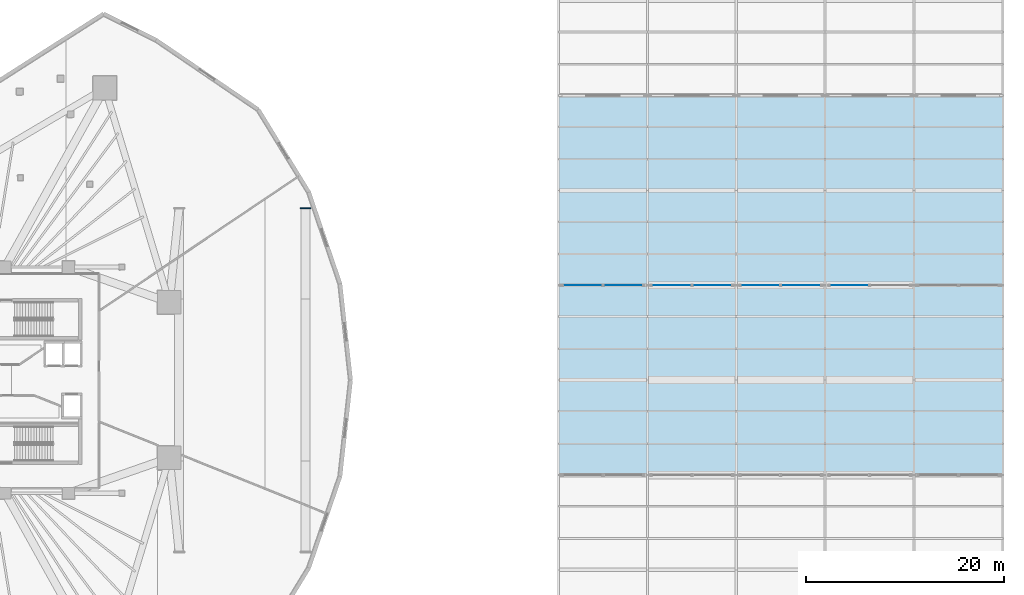
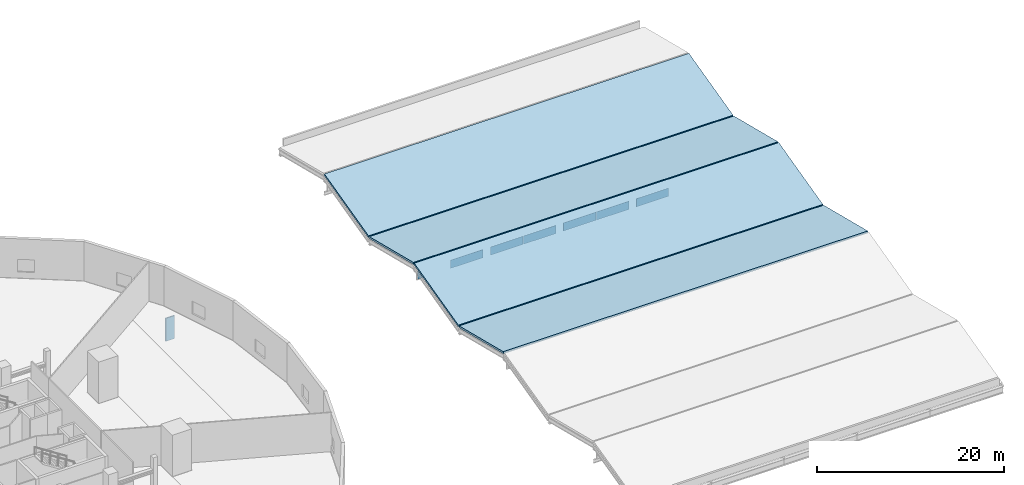
# One storey, part 21 of 36: 8 plates, 4 slabs, 4 elements without a shape of their own.
"""IFC4 building model written with IfcOpenShell, lengths in metres."""

from ifc_helpers import new_model, si_unit, direction, frame, origin, origin_2d, place, context, subcontext, project, spatial, polyline, rectangle, outline, extrude, material, layer, layer_set, type_object, element, aggregate, save


model = new_model("IFC4")

# Units and contexts
model_context = context("Model", 3, precision=1e-05, world=origin(), true_north=direction((0.0, 1.0)))
body_context = subcontext(model_context, "Body", "Model", "MODEL_VIEW")
ifc_project = project(units=[si_unit("LENGTHUNIT", "METRE"), si_unit("AREAUNIT", "SQUARE_METRE"), si_unit("VOLUMEUNIT", "CUBIC_METRE"), si_unit("PLANEANGLEUNIT", "RADIAN"), si_unit("MASSUNIT", "GRAM", prefix="KILO")], contexts=[model_context])

# Site, building, storey
site_placement = place(None, origin())
site = spatial("IfcSite", under=ifc_project, at=site_placement, CompositionType="ELEMENT")
building_placement = place(site_placement, origin())
building = spatial("IfcBuilding", under=site, at=building_placement, Name="Qorvath Tower", CompositionType="ELEMENT")
storey_placement = place(building_placement, frame((0.0, 0.0, 27.0)))
storey = spatial("IfcBuildingStorey", under=building, at=storey_placement, Name="L05", CompositionType="ELEMENT", Elevation=27.0)

# Curtain wall, plates
ifc_material_1 = material(Name="Anodised aluminium and triple low-E glass", Category="aluminium")
ifc_layer_1 = layer(ifc_material_1, 0.179931640625)
ifc_layer_set_1 = layer_set([ifc_layer_1], Name="CW-SYS-7")
curtain_wall_type = type_object("IfcCurtainWallType", Name="CW-SYS-7", PredefinedType="NOTDEFINED", material=ifc_layer_set_1)
curtain_wall_1_placement = place(storey_placement, origin())
curtain_wall_1 = element("IfcCurtainWall", 1, at=curtain_wall_1_placement, inside=storey, type_object=curtain_wall_type, Name="Curtain Wall CW-7 CW-LIB-SKY-3-1", PredefinedType="NOTDEFINED")
ifc_material_2 = material(Name="Low-E triple insulated glass", Category="glass")
ifc_layer_2 = layer(ifc_material_2, 0.031982421875)
ifc_layer_set_2 = layer_set([ifc_layer_2], Name="CWP-GLZ-32")
plate_type_1 = type_object("IfcPlateType", Name="CWP-GLZ-32", PredefinedType="CURTAIN_PANEL", material=ifc_layer_set_2)
plate_1_placement = place(storey_placement, frame((34.85498046875, 9.60009765625, 0.06494140625), z_axis=(0.0, 0.0, 1.0), x_axis=(1.0, 0.0, 0.0)))
plate_1 = element("IfcPlate", 2, at=plate_1_placement, type_object=plate_type_1, Name="CW-7 panel 1.1", PredefinedType="CURTAIN_PANEL", context=body_context, shape_type="SweptSolid", body=[
    extrude(rectangle(XDim=4.010009765625, YDim=0.031982421875, at=origin_2d()), origin(), (0.0, 0.0, 1.0), 1.070068359375),
])
plate_2_placement = place(storey_placement, frame((38.945068359375, 9.60009765625, 0.06494140625), z_axis=(0.0, 0.0, 1.0), x_axis=(1.0, 0.0, 0.0)))
plate_2 = element("IfcPlate", 3, at=plate_2_placement, type_object=plate_type_1, Name="CW-7 panel 2.1", PredefinedType="CURTAIN_PANEL", context=body_context, shape_type="SweptSolid", body=[
    extrude(rectangle(XDim=4.010009765625, YDim=0.031982421875, at=origin_2d()), origin(), (0.0, 0.0, 1.0), 1.070068359375),
])
aggregate(curtain_wall_1, [plate_1, plate_2])

curtain_wall_2_placement = place(storey_placement, origin())
curtain_wall_2 = element("IfcCurtainWall", 4, at=curtain_wall_2_placement, inside=storey, type_object=curtain_wall_type, Name="Curtain Wall CW-7 CW-LIB-SKY-3-2", PredefinedType="NOTDEFINED")
plate_3_placement = place(storey_placement, frame((43.85498046875, 9.60009765625, 0.06494140625), z_axis=(0.0, 0.0, 1.0), x_axis=(1.0, 0.0, 0.0)))
plate_3 = element("IfcPlate", 5, at=plate_3_placement, type_object=plate_type_1, Name="CW-7 panel 1.1", PredefinedType="CURTAIN_PANEL", context=body_context, shape_type="SweptSolid", body=[
    extrude(rectangle(XDim=4.010009765625, YDim=0.031982421875, at=origin_2d()), origin(), (0.0, 0.0, 1.0), 1.070068359375),
])
plate_4_placement = place(storey_placement, frame((47.945068359375, 9.60009765625, 0.06494140625), z_axis=(0.0, 0.0, 1.0), x_axis=(1.0, 0.0, 0.0)))
plate_4 = element("IfcPlate", 6, at=plate_4_placement, type_object=plate_type_1, Name="CW-7 panel 2.1", PredefinedType="CURTAIN_PANEL", context=body_context, shape_type="SweptSolid", body=[
    extrude(rectangle(XDim=4.010009765625, YDim=0.031982421875, at=origin_2d()), origin(), (0.0, 0.0, 1.0), 1.070068359375),
])
aggregate(curtain_wall_2, [plate_3, plate_4])

curtain_wall_3_placement = place(storey_placement, origin())
curtain_wall_3 = element("IfcCurtainWall", 7, at=curtain_wall_3_placement, inside=storey, type_object=curtain_wall_type, Name="Curtain Wall CW-7 CW-LIB-SKY-3-3", PredefinedType="NOTDEFINED")
plate_5_placement = place(storey_placement, frame((52.85498046875, 9.60009765625, 0.06494140625), z_axis=(0.0, 0.0, 1.0), x_axis=(1.0, 0.0, 0.0)))
plate_5 = element("IfcPlate", 8, at=plate_5_placement, type_object=plate_type_1, Name="CW-7 panel 1.1", PredefinedType="CURTAIN_PANEL", context=body_context, shape_type="SweptSolid", body=[
    extrude(rectangle(XDim=4.010009765625, YDim=0.031982421875, at=origin_2d()), origin(), (0.0, 0.0, 1.0), 1.070068359375),
])
plate_6_placement = place(storey_placement, frame((56.945068359375, 9.60009765625, 0.06494140625), z_axis=(0.0, 0.0, 1.0), x_axis=(1.0, 0.0, 0.0)))
plate_6 = element("IfcPlate", 9, at=plate_6_placement, type_object=plate_type_1, Name="CW-7 panel 2.1", PredefinedType="CURTAIN_PANEL", context=body_context, shape_type="SweptSolid", body=[
    extrude(rectangle(XDim=4.010009765625, YDim=0.031982421875, at=origin_2d()), origin(), (0.0, 0.0, 1.0), 1.070068359375),
])
aggregate(curtain_wall_3, [plate_5, plate_6])

# Curtain wall, plate
curtain_wall_4_placement = place(storey_placement, origin())
curtain_wall_4 = element("IfcCurtainWall", 10, at=curtain_wall_4_placement, inside=storey, type_object=curtain_wall_type, Name="Curtain Wall CW-7 CW-LIB-SKY-3-4", PredefinedType="NOTDEFINED")
plate_7_placement = place(storey_placement, frame((61.85498046875, 9.60009765625, 0.06494140625), z_axis=(0.0, 0.0, 1.0), x_axis=(1.0, 0.0, 0.0)))
plate_7 = element("IfcPlate", 11, at=plate_7_placement, type_object=plate_type_1, Name="CW-7 panel 1.1", PredefinedType="CURTAIN_PANEL", context=body_context, shape_type="SweptSolid", body=[
    extrude(rectangle(XDim=4.010009765625, YDim=0.031982421875, at=origin_2d()), origin(), (0.0, 0.0, 1.0), 1.070068359375),
])
aggregate(curtain_wall_4, [plate_7])

# Plate
ifc_material_3 = material(Name="Steel ASTM A572 Grade 42", Category="steel")
ifc_layer_3 = layer(ifc_material_3, 0.1201171875)
ifc_layer_set_3 = layer_set([ifc_layer_3], Name="PL-TG1")
plate_type_2 = type_object("IfcPlateType", Name="PL-TG1", PredefinedType="SHEET", material=ifc_layer_set_3)
plate_8_placement = place(storey_placement, frame((6.800048828125, 17.39990234375, -3.419921875), z_axis=(0.0, 0.0, 1.0), x_axis=(1.0, 0.0, 0.0)))
element("IfcPlate", 12, at=plate_8_placement, inside=storey, type_object=plate_type_2, Name="L05 Transfer Girder Bearing Plate FRONT", PredefinedType="SHEET", context=body_context, shape_type="SweptSolid", body=[
    extrude(rectangle(XDim=1.10009765625, YDim=0.1201171875, at=origin_2d()), origin(), (0.0, 0.0, 1.0), 3.0),
])

# Slabs
ifc_material_4 = material(Name="Concrete C45/55", Category="concrete")
ifc_layer_4 = layer(ifc_material_4, 0.25)
ifc_layer_set_4 = layer_set([ifc_layer_4], Name="SL-LIB-RF-250")
slab_type = type_object("IfcSlabType", Name="SL-LIB-RF-250", PredefinedType="ROOF", material=ifc_layer_set_4)
for number, where, z_axis, x_axis, name in (
    (13, (32.39990234375, -9.52001953125, 2.37353515625), (0.0, 0.241909691544, 0.970298769007), (1.0, 0.0, 0.0), "Library Folded-Plate Roof Facet 4"),
    (14, (32.39990234375, 0.080078125, 0.02001953125), (0.0, -0.241909691544, 0.970298769007), (1.0, 0.0, 0.0), "Library Folded-Plate Roof Facet 5"),
):
    element("IfcSlab", number, at=place(storey_placement, frame(where, z_axis=z_axis, x_axis=x_axis)), inside=storey, type_object=slab_type, Name=name, PredefinedType="ROOF", context=body_context, shape_type="SweptSolid", body=[
        extrude(outline(polyline([(0.0, 0.0), (45.0, 0.0), (45.0, 9.728901764873175), (0.0, 9.728901764873175), (0.0, 0.0)])), origin(), (0.0, 0.0, -1.0), 0.25),
    ])
slab_1_placement = place(storey_placement, frame((32.39990234375, 9.679931640625, 2.37353515625), z_axis=(0.0, 0.241903801416, 0.970300237484), x_axis=(1.0, 0.0, 0.0)))
element("IfcSlab", 15, at=slab_1_placement, inside=storey, type_object=slab_type, Name="Library Folded-Plate Roof Facet 6", PredefinedType="ROOF", context=body_context, shape_type="SweptSolid", body=[
    extrude(outline(polyline([(0.0, 0.0), (45.0, 0.0), (45.0, 9.729138654400337), (0.0, 9.729138654400337), (0.0, 0.0)])), origin(), (0.0, 0.0, -1.0), 0.25),
])
slab_2_placement = place(storey_placement, frame((32.39990234375, 19.280029296875, 0.02001953125), z_axis=(0.0, -0.241909691544, 0.970298769007), x_axis=(1.0, 0.0, 0.0)))
element("IfcSlab", 16, at=slab_2_placement, inside=storey, type_object=slab_type, Name="Library Folded-Plate Roof Facet 7", PredefinedType="ROOF", context=body_context, shape_type="SweptSolid", body=[
    extrude(outline(polyline([(0.0, 0.0), (45.0, 0.0), (45.0, 9.728901764873175), (0.0, 9.728901764873175), (0.0, 0.0)])), origin(), (0.0, 0.0, -1.0), 0.25),
])

save(model, "model.ifc")
